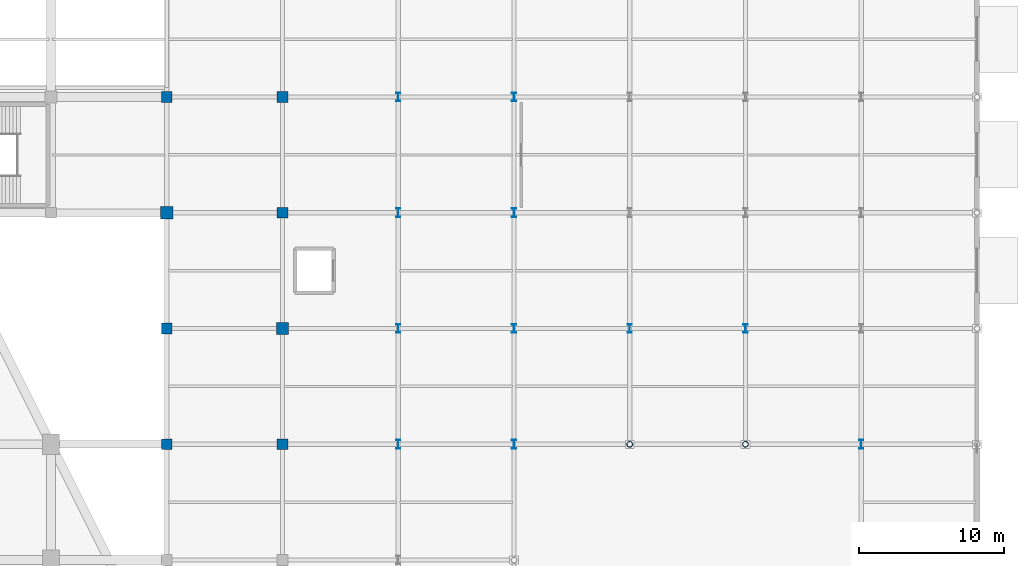
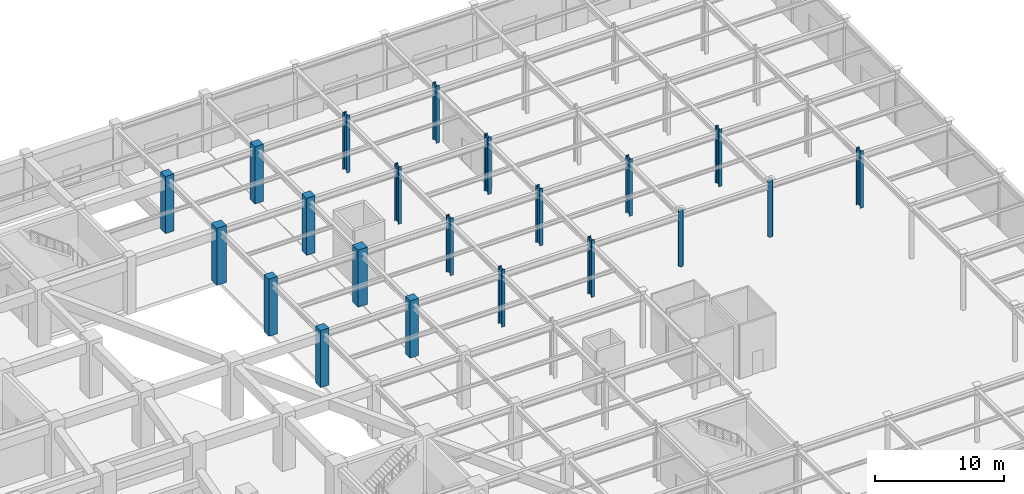
# One storey, part 7 of 39: 21 columns.
"""IFC4 building model written with IfcOpenShell, lengths in metres."""

from ifc_helpers import new_model, si_unit, direction, frame, origin, origin_2d, place, context, subcontext, project, spatial, rectangle, hollow_circle, i_section, extrude, material, material_profile, profile_set, type_object, element, save


model = new_model("IFC4")

# Units and contexts
model_context = context("Model", 3, precision=1e-05, world=origin(), true_north=direction((0.0, 1.0)))
body_context = subcontext(model_context, "Body", "Model", "MODEL_VIEW")
ifc_project = project(units=[si_unit("LENGTHUNIT", "METRE"), si_unit("AREAUNIT", "SQUARE_METRE"), si_unit("VOLUMEUNIT", "CUBIC_METRE"), si_unit("PLANEANGLEUNIT", "RADIAN"), si_unit("MASSUNIT", "GRAM", prefix="KILO")], contexts=[model_context])

# Site, building, storey
site_placement = place(None, origin())
site = spatial("IfcSite", under=ifc_project, at=site_placement, CompositionType="ELEMENT")
building_placement = place(site_placement, origin())
building = spatial("IfcBuilding", under=site, at=building_placement, Name="Tazarka Park Arena", CompositionType="ELEMENT")
storey_placement = place(building_placement, origin())
storey = spatial("IfcBuildingStorey", under=building, at=storey_placement, Name="L00", CompositionType="ELEMENT", Elevation=0.0)

# Columns
ifc_material_1 = material(Name="Concrete C40/50", Category="concrete")
ifc_material_profile_1 = material_profile(ifc_material_1, rectangle(XDim=0.75, YDim=0.75, at=origin_2d()), Name="Concrete C40/50")
ifc_profile_set_1 = profile_set([ifc_material_profile_1], Name="Concrete C40/50")
column_type_1 = type_object("IfcColumnType", Name="COL-C-02", PredefinedType="COLUMN", material=ifc_profile_set_1)
for number, where, z_axis, x_axis, name in (
    (1, (128.0, 96.0, 0.0), (0.0, 0.0, 1.0), (1.0, 0.0, 0.0), "CLM-L00-16-12"),
    (2, (128.0, 120.0, 0.0), (0.0, 0.0, 1.0), (1.0, 0.0, 0.0), "CLM-L00-16-15"),
    (3, (136.0, 96.0, 0.0), (0.0, 0.0, 1.0), (1.0, 0.0, 0.0), "CLM-L00-17-12"),
    (4, (136.0, 112.0, 0.0), (0.0, 0.0, 1.0), (1.0, 0.0, 0.0), "CLM-L00-17-14"),
    (5, (136.0, 120.0, 0.0), (0.0, 0.0, 1.0), (1.0, 0.0, 0.0), "CLM-L00-17-15"),
):
    element("IfcColumn", number, at=place(storey_placement, frame(where, z_axis=z_axis, x_axis=x_axis)), inside=storey, type_object=column_type_1, Name=name, PredefinedType="COLUMN", context=body_context, shape_type="SweptSolid", body=[
        extrude(rectangle(XDim=0.75, YDim=0.75, at=origin_2d()), origin(), (0.0, 0.0, 1.0), 5.39990234375),
    ])
ifc_material_2 = material(Name="Concrete C40/50", Category="concrete")
ifc_material_profile_2 = material_profile(ifc_material_2, rectangle(XDim=0.75, YDim=0.75, at=origin_2d()), Name="Concrete C40/50")
ifc_profile_set_2 = profile_set([ifc_material_profile_2], Name="Concrete C40/50")
column_type_2 = type_object("IfcColumnType", Name="COL-C-06", PredefinedType="COLUMN", material=ifc_profile_set_2)
column_placement = place(storey_placement, frame((128.0, 104.0, 0.0), z_axis=(0.0, 0.0, 1.0), x_axis=(1.0, 0.0, 0.0)))
element("IfcColumn", 6, at=column_placement, inside=storey, type_object=column_type_2, Name="CLM-L00-16-13", PredefinedType="COLUMN", context=body_context, shape_type="SweptSolid", body=[
    extrude(rectangle(XDim=0.75, YDim=0.75, at=origin_2d()), origin(), (0.0, 0.0, 1.0), 5.39990234375),
])
ifc_material_3 = material(Name="Concrete C40/50", Category="concrete")
ifc_material_profile_3 = material_profile(ifc_material_3, rectangle(XDim=0.85009765625, YDim=0.85009765625, at=origin_2d()), Name="Concrete C40/50")
ifc_profile_set_3 = profile_set([ifc_material_profile_3], Name="Concrete C40/50")
column_type_3 = type_object("IfcColumnType", Name="COL-C-10", PredefinedType="COLUMN", material=ifc_profile_set_3)
for number, where, z_axis, x_axis, name in (
    (7, (128.0, 112.0, 0.0), (0.0, 0.0, 1.0), (1.0, 0.0, 0.0), "CLM-L00-16-14"),
    (8, (136.0, 104.0, 0.0), (0.0, 0.0, 1.0), (1.0, 0.0, 0.0), "CLM-L00-17-13"),
):
    element("IfcColumn", number, at=place(storey_placement, frame(where, z_axis=z_axis, x_axis=x_axis)), inside=storey, type_object=column_type_3, Name=name, PredefinedType="COLUMN", context=body_context, shape_type="SweptSolid", body=[
        extrude(rectangle(XDim=0.85009765625, YDim=0.85009765625, at=origin_2d()), origin(), (0.0, 0.0, 1.0), 5.39990234375),
    ])
ifc_material_4 = material(Name="Steel S355", Category="steel")
ifc_material_profile_4 = material_profile(ifc_material_4, i_section(OverallWidth=0.300048828125, OverallDepth=0.60009765625, WebThickness=0.015380859375, FlangeThickness=0.030029296875, FilletRadius=0.027099609375, at=origin_2d()), Name="Steel S355")
ifc_profile_set_4 = profile_set([ifc_material_profile_4], Name="Steel S355")
column_type_4 = type_object("IfcColumnType", Name="COL-SC-03", PredefinedType="COLUMN", material=ifc_profile_set_4)
for number, where, z_axis, x_axis, name in (
    (9, (144.0, 96.0, 0.0), (0.0, 0.0, 1.0), (1.0, 0.0, 0.0), "CLM-L00-18-12"),
    (10, (144.0, 104.0, 0.0), (0.0, 0.0, 1.0), (1.0, 0.0, 0.0), "CLM-L00-18-13"),
    (11, (144.0, 112.0, 0.0), (0.0, 0.0, 1.0), (1.0, 0.0, 0.0), "CLM-L00-18-14"),
    (12, (144.0, 120.0, 0.0), (0.0, 0.0, 1.0), (1.0, 0.0, 0.0), "CLM-L00-18-15"),
    (13, (152.0, 96.0, 0.0), (0.0, 0.0, 1.0), (1.0, 0.0, 0.0), "CLM-L00-19-12"),
    (14, (152.0, 104.0, 0.0), (0.0, 0.0, 1.0), (1.0, 0.0, 0.0), "CLM-L00-19-13"),
    (15, (152.0, 112.0, 0.0), (0.0, 0.0, 1.0), (1.0, 0.0, 0.0), "CLM-L00-19-14"),
    (16, (152.0, 120.0, 0.0), (0.0, 0.0, 1.0), (1.0, 0.0, 0.0), "CLM-L00-19-15"),
    (17, (160.0, 104.0, 0.0), (0.0, 0.0, 1.0), (1.0, 0.0, 0.0), "CLM-L00-20-13"),
    (18, (168.0, 104.0, 0.0), (0.0, 0.0, 1.0), (1.0, 0.0, 0.0), "CLM-L00-21-13"),
    (19, (176.0, 96.0, 0.0), (0.0, 0.0, 1.0), (1.0, 0.0, 0.0), "CLM-L00-22-12"),
):
    element("IfcColumn", number, at=place(storey_placement, frame(where, z_axis=z_axis, x_axis=x_axis)), inside=storey, type_object=column_type_4, Name=name, PredefinedType="COLUMN", context=body_context, shape_type="SweptSolid", body=[
        extrude(i_section(OverallWidth=0.300048828125, OverallDepth=0.60009765625, WebThickness=0.015380859375, FlangeThickness=0.030029296875, FilletRadius=0.027099609375, at=origin_2d()), origin(), (0.0, 0.0, 1.0), 5.39990234375),
    ])
ifc_material_5 = material(Name="Steel S355", Category="steel")
ifc_material_profile_5 = material_profile(ifc_material_5, hollow_circle(Radius=0.203125, WallThickness=0.02001953125, at=origin_2d()), Name="Steel S355")
ifc_profile_set_5 = profile_set([ifc_material_profile_5], Name="Steel S355")
column_type_5 = type_object("IfcColumnType", Name="COL-SC-04", PredefinedType="COLUMN", material=ifc_profile_set_5)
for number, where, z_axis, x_axis, name in (
    (20, (160.0, 96.0, 0.0), (0.0, 0.0, 1.0), (1.0, 0.0, 0.0), "CLM-L00-20-12"),
    (21, (168.0, 96.0, 0.0), (0.0, 0.0, 1.0), (1.0, 0.0, 0.0), "CLM-L00-21-12"),
):
    element("IfcColumn", number, at=place(storey_placement, frame(where, z_axis=z_axis, x_axis=x_axis)), inside=storey, type_object=column_type_5, Name=name, PredefinedType="COLUMN", context=body_context, shape_type="SweptSolid", body=[
        extrude(hollow_circle(Radius=0.203125, WallThickness=0.02001953125, at=origin_2d()), origin(), (0.0, 0.0, 1.0), 5.39990234375),
    ])

save(model, "model.ifc")
